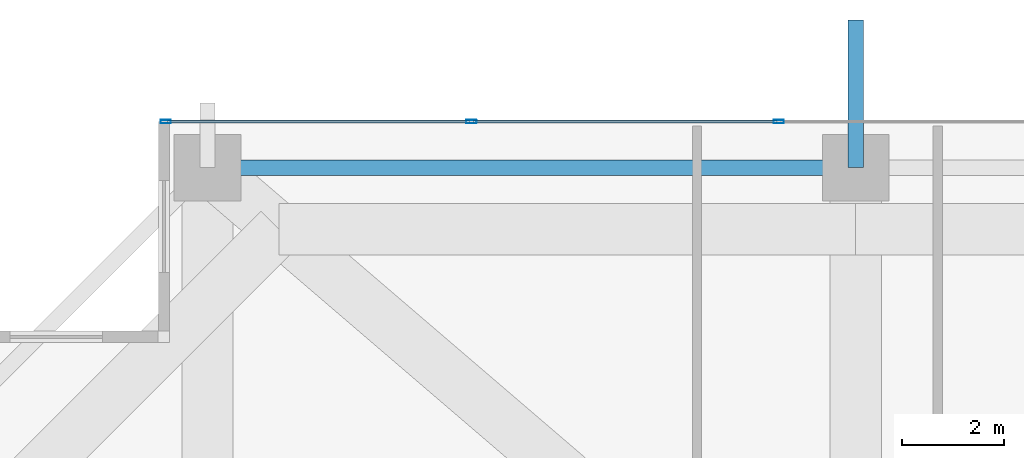
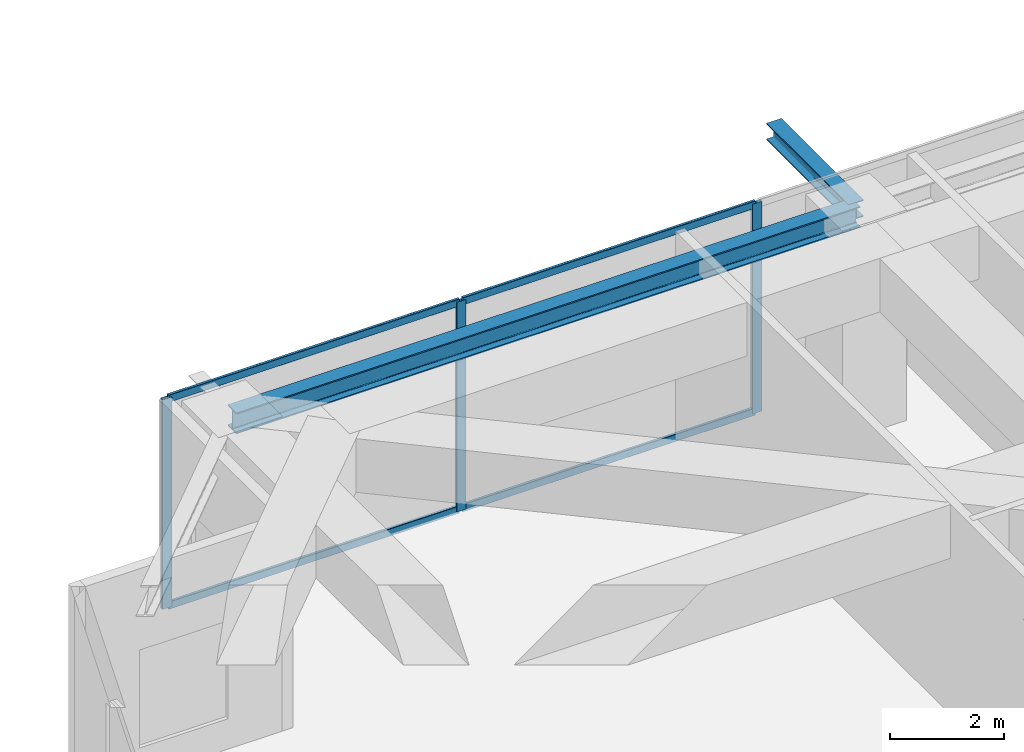
# One storey, part 22 of 35: 7 members, 2 beams, 1 element without a shape of its own.
"""IFC4 building model written with IfcOpenShell, lengths in metres."""

from ifc_helpers import new_model, si_unit, direction, frame, origin, origin_2d, place, context, subcontext, project, spatial, hollow_rectangle, i_section, extrude, source, transform, mapped, material, layer, layer_set, material_profile, profile_set, type_object, element, aggregate, save


model = new_model("IFC4")

# Units and contexts
model_context = context("Model", 3, precision=1e-05, world=origin(), true_north=direction((0.0, 1.0)))
body_context = subcontext(model_context, "Body", "Model", "MODEL_VIEW")
ifc_project = project(units=[si_unit("LENGTHUNIT", "METRE"), si_unit("AREAUNIT", "SQUARE_METRE"), si_unit("VOLUMEUNIT", "CUBIC_METRE"), si_unit("PLANEANGLEUNIT", "RADIAN"), si_unit("MASSUNIT", "GRAM", prefix="KILO")], contexts=[model_context])

# Site, building, storey
site_placement = place(None, origin())
site = spatial("IfcSite", under=ifc_project, at=site_placement, CompositionType="ELEMENT")
building_placement = place(site_placement, origin())
building = spatial("IfcBuilding", under=site, at=building_placement, Name="Serunith Strait Residences", CompositionType="ELEMENT")
storey_placement = place(building_placement, frame((0.0, 0.0, 115.199951171875)))
storey = spatial("IfcBuildingStorey", under=building, at=storey_placement, Name="L28", CompositionType="ELEMENT", Elevation=115.199951171875)

# Beams
ifc_material_1 = material(Name="Steel S355J2", Category="steel")
ifc_material_profile_1 = material_profile(ifc_material_1, i_section(OverallWidth=0.300048828125, OverallDepth=0.449951171875, WebThickness=0.013916015625, FlangeThickness=0.02587890625, FilletRadius=0.027099609375, at=origin_2d()), Name="HEB 450")
ifc_profile_set_1 = profile_set([ifc_material_profile_1], Name="Steel S355J2")
beam_type_1 = type_object("IfcBeamType", Name="BM-HEB450", PredefinedType="BEAM", material=ifc_profile_set_1)
shared_shape_1 = source(origin(), body_context, "Body", "SweptSolid", [
    extrude(i_section(OverallWidth=0.300048828125, OverallDepth=0.449951171875, WebThickness=0.013916015625, FlangeThickness=0.02587890625, FilletRadius=0.027099609375, at=origin_2d()), origin(), (0.0, 0.0, 1.0), 12.64990234375),
])
beam_1_placement = place(storey_placement, frame((27.89990234375, 49.300048828125, 4.281982421875), z_axis=(-1.0, 0.0, 0.0), x_axis=(0.0, -1.0, 0.0)))
element("IfcBeam", 1, at=beam_1_placement, inside=storey, type_object=beam_type_1, Name="L28 Perimeter Ring Beam 11", PredefinedType="BEAM", context=body_context, shape_type="MappedRepresentation", body=[
    mapped(shared_shape_1, transform((0.0, 0.0, 0.0), scale=1.0)),
])
ifc_material_profile_2 = material_profile(ifc_material_1, i_section(OverallWidth=0.300048828125, OverallDepth=0.360107421875, WebThickness=0.012451171875, FlangeThickness=0.0224609375, FilletRadius=0.027099609375, at=origin_2d()), Name="HEB 360")
ifc_profile_set_2 = profile_set([ifc_material_profile_2], Name="Steel S355J2")
beam_type_2 = type_object("IfcBeamType", Name="BM-HEB360", PredefinedType="BEAM", material=ifc_profile_set_2)
shared_shape_2 = source(origin(), body_context, "Body", "SweptSolid", [
    extrude(i_section(OverallWidth=0.300048828125, OverallDepth=0.360107421875, WebThickness=0.012451171875, FlangeThickness=0.0224609375, FilletRadius=0.027099609375, at=origin_2d()), origin(), (0.0, 0.0, 1.0), 2.882568359375),
])
beam_2_placement = place(storey_placement, frame((27.89990234375, 49.300048828125, 4.3271484375), z_axis=(0.0, 1.0, 0.0), x_axis=(-1.0, 0.0, 0.0)))
element("IfcBeam", 2, at=beam_2_placement, inside=storey, type_object=beam_type_2, Name="L29 Cantilevered Balcony Rib TC-N2", PredefinedType="BEAM", context=body_context, shape_type="MappedRepresentation", body=[
    mapped(shared_shape_2, transform((0.0, 0.0, 0.0), scale=1.0)),
])

# Curtain wall, members
ifc_material_2 = material(Name="Pale-Champagne Anodised Aluminium", Category="aluminium")
ifc_layer = layer(ifc_material_2, 0.199951171875, Name="Pale-Champagne Anodised Aluminium")
ifc_layer_set = layer_set([ifc_layer], Name="Pale-Champagne Anodised Aluminium")
curtain_wall_type = type_object("IfcCurtainWallType", Name="CW-SYS1", PredefinedType="NOTDEFINED", material=ifc_layer_set)
curtain_wall_placement = place(storey_placement, origin())
curtain_wall = element("IfcCurtainWall", 3, at=curtain_wall_placement, inside=storey, type_object=curtain_wall_type, Name="L28 N Unitised Fritted Curtain Wall", PredefinedType="NOTDEFINED")
ifc_material_profile_3 = material_profile(ifc_material_2, hollow_rectangle(XDim=0.06005859375, YDim=0.159912109375, WallThickness=0.00341796875, InnerFilletRadius=0.00537109375, OuterFilletRadius=0.0087890625, at=origin_2d()), Name="ALU 160x60x3.5")
ifc_profile_set_3 = profile_set([ifc_material_profile_3], Name="Pale-Champagne Anodised Aluminium")
member_type_1 = type_object("IfcMemberType", Name="CW-SYS1-TRAN", PredefinedType="USERDEFINED", material=ifc_profile_set_3)
shared_shape_3 = source(origin(), body_context, "Body", "SweptSolid", [
    extrude(hollow_rectangle(XDim=0.06005859375, YDim=0.159912109375, WallThickness=0.00341796875, InnerFilletRadius=0.00537109375, OuterFilletRadius=0.0087890625, at=origin_2d()), origin(), (0.0, 0.0, 1.0), 5.89501953125),
])
member_1_placement = place(storey_placement, frame((20.364990234375, 50.199951171875, 0.030029296875), z_axis=(-1.0, 0.0, 0.0), x_axis=(0.0, -1.0, 0.0)))
member_1 = element("IfcMember", 4, at=member_1_placement, type_object=member_type_1, Name="CW-1 transom 6.1", ObjectType="TRANSOM", PredefinedType="USERDEFINED", context=body_context, shape_type="MappedRepresentation", body=[
    mapped(shared_shape_3, transform((0.0, 0.0, 0.0), scale=1.0)),
])
member_2_placement = place(storey_placement, frame((20.364990234375, 50.199951171875, 4.465087890625), z_axis=(-1.0, 0.0, 0.0), x_axis=(0.0, -1.0, 0.0)))
member_2 = element("IfcMember", 5, at=member_2_placement, type_object=member_type_1, Name="CW-1 transom 6.2", ObjectType="TRANSOM", PredefinedType="USERDEFINED", context=body_context, shape_type="MappedRepresentation", body=[
    mapped(shared_shape_3, transform((0.0, 0.0, 0.0), scale=1.0)),
])
shared_shape_4 = source(origin(), body_context, "Body", "SweptSolid", [
    extrude(hollow_rectangle(XDim=0.06005859375, YDim=0.159912109375, WallThickness=0.00341796875, InnerFilletRadius=0.00537109375, OuterFilletRadius=0.0087890625, at=origin_2d()), origin(), (0.0, 0.0, 1.0), 5.929931640625),
])
member_3_placement = place(storey_placement, frame((26.364990234375, 50.199951171875, 0.030029296875), z_axis=(-1.0, 0.0, 0.0), x_axis=(0.0, -1.0, 0.0)))
member_3 = element("IfcMember", 6, at=member_3_placement, type_object=member_type_1, Name="CW-1 transom 5.1", ObjectType="TRANSOM", PredefinedType="USERDEFINED", context=body_context, shape_type="MappedRepresentation", body=[
    mapped(shared_shape_4, transform((0.0, 0.0, 0.0), scale=1.0)),
])
member_4_placement = place(storey_placement, frame((26.364990234375, 50.199951171875, 4.465087890625), z_axis=(-1.0, 0.0, 0.0), x_axis=(0.0, -1.0, 0.0)))
member_4 = element("IfcMember", 7, at=member_4_placement, type_object=member_type_1, Name="CW-1 transom 5.2", ObjectType="TRANSOM", PredefinedType="USERDEFINED", context=body_context, shape_type="MappedRepresentation", body=[
    mapped(shared_shape_4, transform((0.0, 0.0, 0.0), scale=1.0)),
])
ifc_material_profile_4 = material_profile(ifc_material_2, hollow_rectangle(XDim=0.070068359375, YDim=0.199951171875, WallThickness=0.00390625, InnerFilletRadius=0.006103515625, OuterFilletRadius=0.010009765625, at=origin_2d()), Name="ALU 200x70x4")
ifc_profile_set_4 = profile_set([ifc_material_profile_4], Name="Pale-Champagne Anodised Aluminium")
member_type_2 = type_object("IfcMemberType", Name="CW-SYS1-MULL", PredefinedType="MULLION", material=ifc_profile_set_4)
shared_shape_5 = source(origin(), body_context, "Body", "SweptSolid", [
    extrude(hollow_rectangle(XDim=0.070068359375, YDim=0.199951171875, WallThickness=0.00390625, InnerFilletRadius=0.006103515625, OuterFilletRadius=0.010009765625, at=origin_2d()), origin(), (0.0, 0.0, 1.0), 4.4951171875),
])
member_5_placement = place(storey_placement, frame((26.39990234375, 50.199951171875, 0.0), z_axis=(0.0, 0.0, 1.0), x_axis=(0.0, -1.0, 0.0)))
member_5 = element("IfcMember", 8, at=member_5_placement, type_object=member_type_2, Name="CW-1 mullion 5", PredefinedType="MULLION", context=body_context, shape_type="MappedRepresentation", body=[
    mapped(shared_shape_5, transform((0.0, 0.0, 0.0), scale=1.0)),
])
member_6_placement = place(storey_placement, frame((20.39990234375, 50.199951171875, 0.0), z_axis=(0.0, 0.0, 1.0), x_axis=(0.0, -1.0, 0.0)))
member_6 = element("IfcMember", 9, at=member_6_placement, type_object=member_type_2, Name="CW-1 mullion 6", PredefinedType="MULLION", context=body_context, shape_type="MappedRepresentation", body=[
    mapped(shared_shape_5, transform((0.0, 0.0, 0.0), scale=1.0)),
])
member_7_placement = place(storey_placement, frame((14.43505859375, 50.199951171875, 0.0), z_axis=(0.0, 0.0, 1.0), x_axis=(0.0, -1.0, 0.0)))
member_7 = element("IfcMember", 10, at=member_7_placement, type_object=member_type_2, Name="CW-1 mullion 7", PredefinedType="MULLION", context=body_context, shape_type="MappedRepresentation", body=[
    mapped(shared_shape_5, transform((0.0, 0.0, 0.0), scale=1.0)),
])
aggregate(curtain_wall, [member_5, member_6, member_7, member_3, member_4, member_1, member_2])

save(model, "model.ifc")
